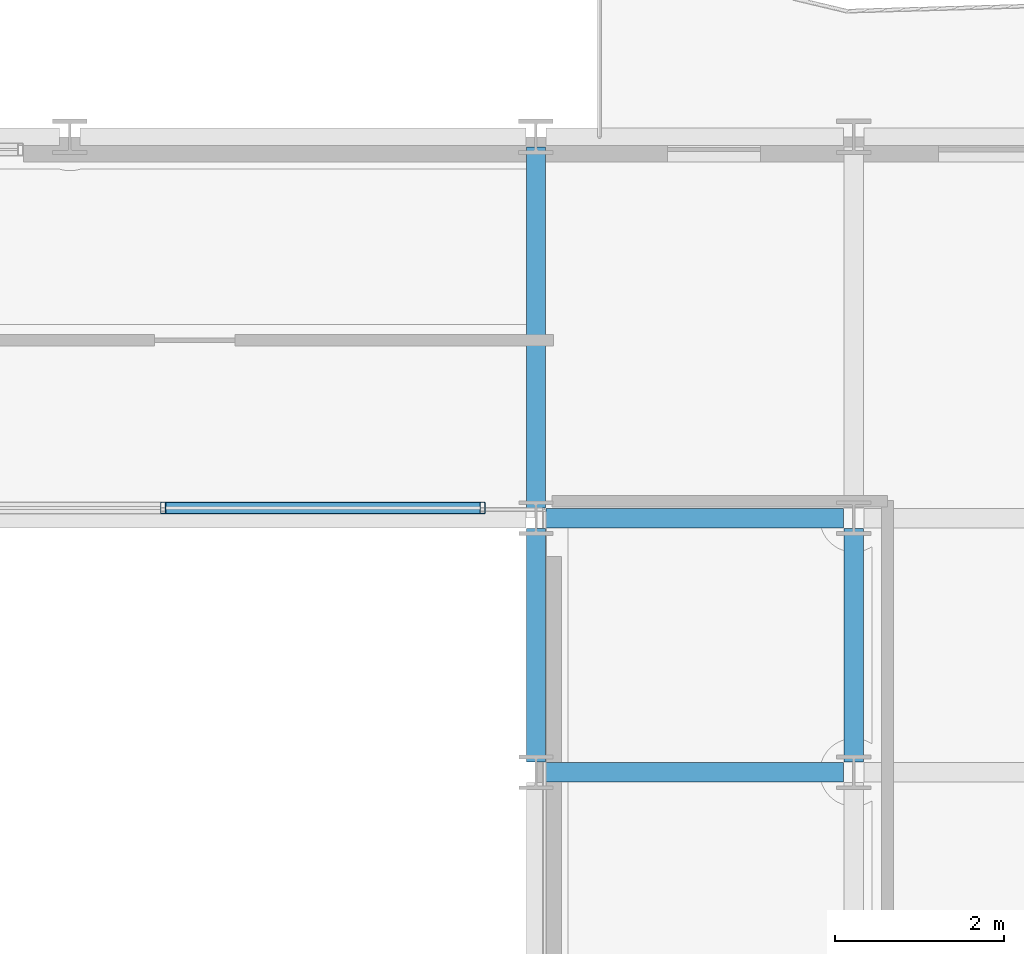
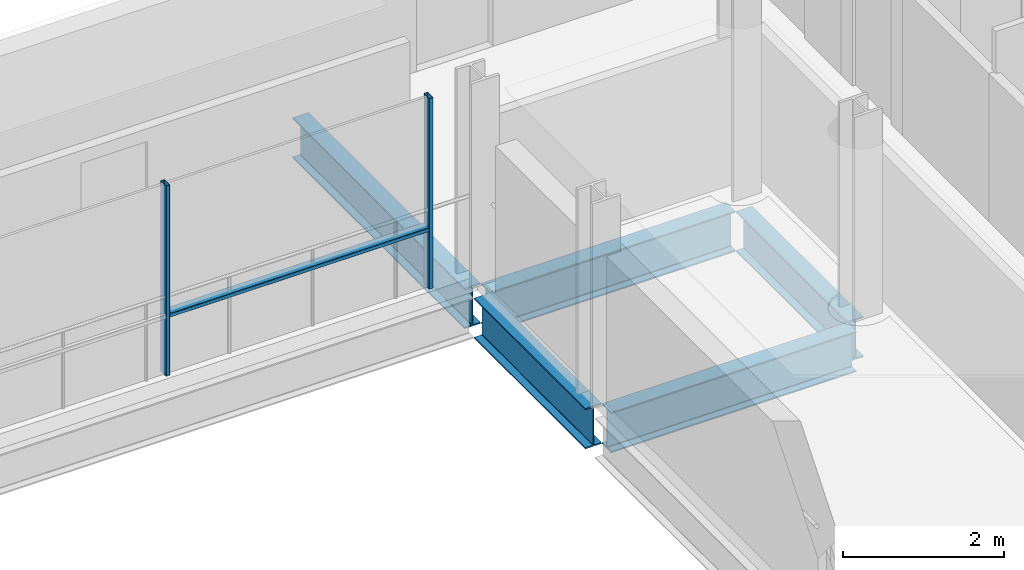
# One storey, part 19 of 41: 5 beams, 3 members, 1 element without a shape of its own.
"""IFC4 building model written with IfcOpenShell, lengths in metres."""

import ifcopenshell
import ifcopenshell.guid

model = None  # the IFC model being written
_history = None  # IfcOwnerHistory: only IFC2X3 demands one
_inside = {}  # id of a spatial element -> (the spatial element, [elements in it])
_under = {}  # id of a project, library or spatial element -> (it, [spatial elements below it])
_declared = {}  # id of a project -> (the project, [libraries it declares])
_typed = {}  # id of a type object -> (the type object, [elements of that type])
_made_of = {}  # id of a material, layer set ... -> (it, [elements and type objects made of it])


def new_model(schema):
    """Start an empty IFC model of exactly this schema.

    Asked for "IFC4X3", IfcOpenShell would pick the latest addendum, in which some entities
    have other attributes; the version numbers below select the first issue.
    IFC2X3 requires an IfcOwnerHistory on every rooted entity: one is made here for all.
    """
    global model, _history
    if schema == "IFC4X3":
        model = ifcopenshell.file(schema_version=(4, 3, 0, 0))
    else:
        model = ifcopenshell.file(schema=schema)
    _inside.clear()
    _under.clear()
    _declared.clear()
    _typed.clear()
    _made_of.clear()
    _history = None
    if model.schema == "IFC2X3":
        org = make("IfcOrganization", Name="unknown")
        user = make(
            "IfcPersonAndOrganization",
            ThePerson=make("IfcPerson", FamilyName="unknown"),
            TheOrganization=org,
        )
        app = make(
            "IfcApplication",
            ApplicationDeveloper=org,
            Version="unknown",
            ApplicationFullName="unknown",
            ApplicationIdentifier="unknown",
        )
        _history = make(
            "IfcOwnerHistory",
            OwningUser=user,
            OwningApplication=app,
            ChangeAction="ADDED",
            CreationDate=0,
        )
    return model


def make(cls, **values):
    """One entity of the class cls with the attributes given. An attribute that is None is left unset."""
    return model.create_entity(
        cls, **{name: value for name, value in values.items() if value is not None}
    )


def rooted(cls, **values):
    """An entity with a GlobalId (a new one), such as an element, a storey or a relation."""
    return make(cls, GlobalId=ifcopenshell.guid.new(), OwnerHistory=_history, **values)


def si_unit(unit_type, name, prefix=None):
    """IfcSIUnit, for example si_unit("LENGTHUNIT", "METRE", prefix="MILLI")."""
    return make("IfcSIUnit", UnitType=unit_type, Prefix=prefix, Name=name)


def assignment(units):
    """IfcUnitAssignment: the units of a project."""
    return None if units is None else make("IfcUnitAssignment", Units=units)


def point(xyz):
    """IfcCartesianPoint."""
    return None if xyz is None else make("IfcCartesianPoint", Coordinates=xyz)


def direction(xyz):
    """IfcDirection."""
    return None if xyz is None else make("IfcDirection", DirectionRatios=xyz)


def frame(location, z_axis=None, x_axis=None):
    """IfcAxis2Placement3D, a coordinate frame: its origin and axes. An axis left out is left unset."""
    return make(
        "IfcAxis2Placement3D",
        Location=point(location),
        Axis=direction(z_axis),
        RefDirection=direction(x_axis),
    )


def frame_2d(location, x_axis=None):
    """IfcAxis2Placement2D, a coordinate frame in the plane: its origin and x axis."""
    return make(
        "IfcAxis2Placement2D", Location=point(location), RefDirection=direction(x_axis)
    )


def origin():
    """The frame at (0, 0, 0) with its axes left unset."""
    return frame((0.0, 0.0, 0.0))


def origin_2d():
    """The frame at (0, 0) in the plane with its x axis left unset."""
    return frame_2d((0.0, 0.0))


def place(relative_to, where):
    """IfcLocalPlacement: puts the frame where relative to a parent placement (None: the world)."""
    return make(
        "IfcLocalPlacement", PlacementRelTo=relative_to, RelativePlacement=where
    )


def context(
    kind, dimensions, precision=None, world=None, true_north=None, identifier=None
):
    """IfcGeometricRepresentationContext, for example the 3D "Model" context."""
    return make(
        "IfcGeometricRepresentationContext",
        ContextIdentifier=identifier,
        ContextType=kind,
        CoordinateSpaceDimension=dimensions,
        Precision=precision,
        WorldCoordinateSystem=world,
        TrueNorth=true_north,
    )


def subcontext(parent, identifier, kind, view, scale=None):
    """IfcGeometricRepresentationSubContext, for example "Body" below "Model"."""
    return make(
        "IfcGeometricRepresentationSubContext",
        ContextIdentifier=identifier,
        ContextType=kind,
        ParentContext=parent,
        TargetScale=scale,
        TargetView=view,
    )


def project(units=None, contexts=None):
    """IfcProject with its units and contexts."""
    return rooted(
        "IfcProject",
        Name="project",
        RepresentationContexts=contexts,
        UnitsInContext=assignment(units),
    )


def spatial(cls, under=None, at=None, **own):
    """A site, building, storey or space (cls), placed at a placement, below another one or the project."""
    s = rooted(cls, ObjectPlacement=at, **own)
    if under is not None:
        _under.setdefault(under.id(), (under, []))[1].append(s)
    return s


def profile(cls, at=None, kind="AREA", **sizes):
    """A parametric profile (cls). Its sizes go by their IFC names, for example OverallWidth=200.0."""
    return make(cls, ProfileType=kind, Position=at, **sizes)


def hollow_rectangle(**sizes):
    """IfcRectangleHollowProfileDef."""
    return profile("IfcRectangleHollowProfileDef", **sizes)


def i_section(**sizes):
    """IfcIShapeProfileDef."""
    return profile("IfcIShapeProfileDef", **sizes)


def extrude(swept, where, along, depth):
    """IfcExtrudedAreaSolid: the profile swept, set in the frame where, extruded along a direction by depth."""
    return make(
        "IfcExtrudedAreaSolid",
        SweptArea=swept,
        Position=where,
        ExtrudedDirection=direction(along),
        Depth=depth,
    )


def shape(context_of_items, identifier, shape_type, items):
    """IfcShapeRepresentation: the items that make up one representation, for example the "Body"."""
    return make(
        "IfcShapeRepresentation",
        ContextOfItems=context_of_items,
        RepresentationIdentifier=identifier,
        RepresentationType=shape_type,
        Items=items,
    )


def material(Name=None, Category=None):
    """IfcMaterial."""
    return make("IfcMaterial", Name=Name, Category=Category)


def layer(
    of_material, thickness, ventilated=None, Name=None, Category=None, Priority=None
):
    """IfcMaterialLayer: one layer of a wall or slab, of a material (None: an air gap)."""
    return make(
        "IfcMaterialLayer",
        Material=of_material,
        LayerThickness=thickness,
        IsVentilated=ventilated,
        Name=Name,
        Category=Category,
        Priority=Priority,
    )


def layer_set(layers, Name=None):
    """IfcMaterialLayerSet."""
    return make("IfcMaterialLayerSet", MaterialLayers=layers, LayerSetName=Name)


def material_profile(
    of_material, cross_section, Name=None, Category=None, Priority=None
):
    """IfcMaterialProfile: a cross section and its material."""
    return make(
        "IfcMaterialProfile",
        Name=Name,
        Material=of_material,
        Profile=cross_section,
        Priority=Priority,
        Category=Category,
    )


def profile_set(profiles, Name=None, composite=None):
    """IfcMaterialProfileSet."""
    return make(
        "IfcMaterialProfileSet",
        Name=Name,
        MaterialProfiles=profiles,
        CompositeProfile=composite,
    )


def made_of(thing, what):
    """Note that an element or type object is made of a material, layer set ...; save() writes the relation."""
    if what is not None:
        _made_of.setdefault(what.id(), (what, []))[1].append(thing)
    return thing


def type_object(cls, material=None, **own):
    """A type object (cls), such as IfcWallType, which elements share."""
    return made_of(rooted(cls, **own), material)


def element(
    cls,
    number,
    at=None,
    inside=None,
    cuts=None,
    type_object=None,
    material=None,
    context=None,
    identifier="Body",
    shape_type=None,
    held_by="IfcProductDefinitionShape",
    body=None,
    shapes=None,
    **own,
):
    """One element of the class cls, such as IfcWall. Its Tag is "e" and its number.

    at: its placement. inside: the storey or other place that contains it. cuts: it is an
    opening in that element (IfcRelVoidsElement). A single representation is given by context,
    identifier, shape_type and body (its items); several are given by shapes. held_by: the class
    of the entity that holds the representations. save() writes the other relations.
    """
    e = rooted(cls, Tag="e%d" % number, ObjectPlacement=at, **own)
    if body is not None:
        shapes = [shape(context, identifier, shape_type, body)]
    if shapes is not None:
        e.Representation = make(held_by, Representations=shapes)
    if inside is not None:
        _inside.setdefault(inside.id(), (inside, []))[1].append(e)
    if cuts is not None:
        rooted(
            "IfcRelVoidsElement", RelatingBuildingElement=cuts, RelatedOpeningElement=e
        )
    if type_object is not None:
        _typed.setdefault(type_object.id(), (type_object, []))[1].append(e)
    return made_of(e, material)


def aggregate(whole, parts):
    """IfcRelAggregates: a whole, such as a stair, and the parts it consists of."""
    return rooted("IfcRelAggregates", RelatingObject=whole, RelatedObjects=parts)


def save(model, path):
    """Write the relations noted so far, then the file.

    IfcRelAggregates (storeys below a building ...), IfcRelContainedInSpatialStructure (elements
    in a storey), IfcRelDefinesByType, IfcRelAssociatesMaterial and IfcRelDeclares: one each for
    every whole, place, type object, material and project.
    """
    for whole, parts in _under.values():
        aggregate(whole, parts)
    for where, things in _inside.values():
        rooted(
            "IfcRelContainedInSpatialStructure",
            RelatedElements=things,
            RelatingStructure=where,
        )
    for kind, things in _typed.values():
        rooted("IfcRelDefinesByType", RelatedObjects=things, RelatingType=kind)
    for what, things in _made_of.values():
        rooted("IfcRelAssociatesMaterial", RelatedObjects=things, RelatingMaterial=what)
    for by, libraries in _declared.values():
        rooted("IfcRelDeclares", RelatingContext=by, RelatedDefinitions=libraries)
    model.write(path)


model = new_model("IFC4")

# Units and contexts
model_context = context("Model", 3, precision=1e-05, world=origin(), true_north=direction((0.0, 1.0)))
body_context = subcontext(model_context, "Body", "Model", "MODEL_VIEW")
ifc_project = project(units=[si_unit("LENGTHUNIT", "METRE"), si_unit("AREAUNIT", "SQUARE_METRE"), si_unit("VOLUMEUNIT", "CUBIC_METRE"), si_unit("PLANEANGLEUNIT", "RADIAN"), si_unit("MASSUNIT", "GRAM", prefix="KILO")], contexts=[model_context])

# Site, building, storey
site_placement = place(None, origin())
site = spatial("IfcSite", under=ifc_project, at=site_placement, CompositionType="ELEMENT")
building_placement = place(site_placement, origin())
building = spatial("IfcBuilding", under=site, at=building_placement, Name="Brevholm Reach", CompositionType="ELEMENT")
storey_placement = place(building_placement, frame((0.0, 0.0, 157.300048828125)))
storey = spatial("IfcBuildingStorey", under=building, at=storey_placement, Name="L47", CompositionType="ELEMENT", Elevation=157.300048828125)

# Beams
ifc_material_1 = material(Name="Structural Steel S355J2", Category="steel")
ifc_material_profile_1 = material_profile(ifc_material_1, i_section(OverallWidth=0.22900390625, OverallDepth=0.6123046875, WebThickness=0.011962890625, FlangeThickness=0.01953125, FilletRadius=0.0126953125, at=origin_2d()), Name="UKB 610x229x125")
ifc_profile_set_1 = profile_set([ifc_material_profile_1], Name="Structural Steel S355J2")
beam_type = type_object("IfcBeamType", Name="BM-SP610", PredefinedType="SPANDREL", material=ifc_profile_set_1)
for number, where, z_axis, x_axis, name in (
    (1, (38.3701171875, 23.5, -0.526123046875), (1.0, 0.0, 0.0), (0.0, 1.0, 0.0), "L47 SP-01 Framing Beam"),
    (2, (38.3701171875, 26.5, -0.526123046875), (1.0, 0.0, 0.0), (0.0, 1.0, 0.0), "L47 SP-01 Framing Beam"),
):
    element("IfcBeam", number, at=place(storey_placement, frame(where, z_axis=z_axis, x_axis=x_axis)), inside=storey, type_object=beam_type, Name=name, PredefinedType="SPANDREL", context=body_context, shape_type="SweptSolid", body=[
        extrude(i_section(OverallWidth=0.22900390625, OverallDepth=0.6123046875, WebThickness=0.011962890625, FlangeThickness=0.01953125, FilletRadius=0.0126953125, at=origin_2d()), origin(), (0.0, 0.0, 1.0), 3.509765625),
    ])
beam_1_placement = place(storey_placement, frame((38.25, 23.6201171875, -0.526123046875), z_axis=(0.0, 1.0, 0.0), x_axis=(-1.0, 0.0, 0.0)))
element("IfcBeam", 3, at=beam_1_placement, inside=storey, type_object=beam_type, Name="L47 SP-01 Framing Beam", PredefinedType="SPANDREL", context=body_context, shape_type="SweptSolid", body=[
    extrude(i_section(OverallWidth=0.22900390625, OverallDepth=0.6123046875, WebThickness=0.011962890625, FlangeThickness=0.01953125, FilletRadius=0.0126953125, at=origin_2d()), origin(), (0.0, 0.0, 1.0), 2.759765625),
])
beam_2_placement = place(storey_placement, frame((38.25, 26.6201171875, -0.526123046875), z_axis=(0.0, 1.0, 0.0), x_axis=(-1.0, 0.0, 0.0)))
element("IfcBeam", 4, at=beam_2_placement, inside=storey, type_object=beam_type, Name="L47 SP-01 Framing Beam", PredefinedType="SPANDREL", context=body_context, shape_type="SweptSolid", body=[
    extrude(i_section(OverallWidth=0.22900390625, OverallDepth=0.6123046875, WebThickness=0.011962890625, FlangeThickness=0.01953125, FilletRadius=0.0126953125, at=origin_2d()), origin(), (0.0, 0.0, 1.0), 4.259765625),
])
beam_3_placement = place(storey_placement, frame((42.0, 23.6201171875, -0.526123046875), z_axis=(0.0, 1.0, 0.0), x_axis=(-1.0, 0.0, 0.0)))
element("IfcBeam", 5, at=beam_3_placement, inside=storey, type_object=beam_type, Name="L47 SP-01 Framing Beam", PredefinedType="SPANDREL", context=body_context, shape_type="SweptSolid", body=[
    extrude(i_section(OverallWidth=0.22900390625, OverallDepth=0.6123046875, WebThickness=0.011962890625, FlangeThickness=0.01953125, FilletRadius=0.0126953125, at=origin_2d()), origin(), (0.0, 0.0, 1.0), 2.759765625),
])

# Curtain wall, members
ifc_material_2 = material(Name="Dark Anodised Aluminium 6063-T6 and Solar-Control Glass", Category="aluminium")
ifc_layer = layer(ifc_material_2, 0.139892578125)
ifc_layer_set = layer_set([ifc_layer], Name="Dark Anodised Aluminium 6063-T6 and Solar-Control Glass")
curtain_wall_type = type_object("IfcCurtainWallType", Name="CW-02", PredefinedType="NOTDEFINED", material=ifc_layer_set)
curtain_wall_placement = place(storey_placement, origin())
curtain_wall = element("IfcCurtainWall", 6, at=curtain_wall_placement, inside=storey, type_object=curtain_wall_type, Name="L47 Curtain Wall CW-02", PredefinedType="NOTDEFINED")
ifc_material_3 = material(Name="Dark Anodised Aluminium 6063-T6", Category="aluminium")
ifc_material_profile_2 = material_profile(ifc_material_3, hollow_rectangle(XDim=0.06005859375, YDim=0.139892578125, WallThickness=0.0048828125, InnerFilletRadius=0.0048828125, OuterFilletRadius=0.010009765625, at=origin_2d()), Name="RHS 140x60x5")
ifc_profile_set_2 = profile_set([ifc_material_profile_2], Name="Dark Anodised Aluminium 6063-T6")
member_type_1 = type_object("IfcMemberType", Name="CWM-140", PredefinedType="MULLION", material=ifc_profile_set_2)
member_1_placement = place(storey_placement, frame((37.6201171875, 26.6201171875, 0.0), z_axis=(0.0, 0.0, 1.0), x_axis=(-1.0, 0.0, 0.0)))
member_1 = element("IfcMember", 7, at=member_1_placement, type_object=member_type_1, Name="CM-140 Mullion 1", PredefinedType="MULLION", context=body_context, shape_type="SweptSolid", body=[
    extrude(hollow_rectangle(XDim=0.06005859375, YDim=0.139892578125, WallThickness=0.0048828125, InnerFilletRadius=0.0048828125, OuterFilletRadius=0.010009765625, at=origin_2d()), origin(), (0.0, 0.0, 1.0), 2.8798828125),
])
member_2_placement = place(storey_placement, frame((33.85009765625, 26.6201171875, 0.0), z_axis=(0.0, 0.0, 1.0), x_axis=(-1.0, 0.0, 0.0)))
member_2 = element("IfcMember", 8, at=member_2_placement, type_object=member_type_1, Name="CM-140 Mullion 2", PredefinedType="MULLION", context=body_context, shape_type="SweptSolid", body=[
    extrude(hollow_rectangle(XDim=0.06005859375, YDim=0.139892578125, WallThickness=0.0048828125, InnerFilletRadius=0.0048828125, OuterFilletRadius=0.010009765625, at=origin_2d()), origin(), (0.0, 0.0, 1.0), 2.8798828125),
])
ifc_material_4 = material(Name="Dark Anodised Aluminium 6063-T6", Category="aluminium")
ifc_material_profile_3 = material_profile(ifc_material_4, hollow_rectangle(XDim=0.06005859375, YDim=0.139892578125, WallThickness=0.0048828125, InnerFilletRadius=0.0048828125, OuterFilletRadius=0.010009765625, at=origin_2d()), Name="RHS 140x60x5")
ifc_profile_set_3 = profile_set([ifc_material_profile_3], Name="Dark Anodised Aluminium 6063-T6")
member_type_2 = type_object("IfcMemberType", Name="CWT-140", PredefinedType="NOTDEFINED", material=ifc_profile_set_3)
member_3_placement = place(storey_placement, frame((37.590087890625, 26.6201171875, 0.89990234375), z_axis=(-1.0, 0.0, 0.0), x_axis=(0.0, 0.0, 1.0)))
member_3 = element("IfcMember", 9, at=member_3_placement, type_object=member_type_2, Name="CT-140 Transom 1.1", ObjectType="TRANSOM", PredefinedType="USERDEFINED", context=body_context, shape_type="SweptSolid", body=[
    extrude(hollow_rectangle(XDim=0.06005859375, YDim=0.139892578125, WallThickness=0.0048828125, InnerFilletRadius=0.0048828125, OuterFilletRadius=0.010009765625, at=origin_2d()), origin(), (0.0, 0.0, 1.0), 3.710205078125),
])
aggregate(curtain_wall, [member_1, member_2, member_3])

save(model, "model.ifc")
